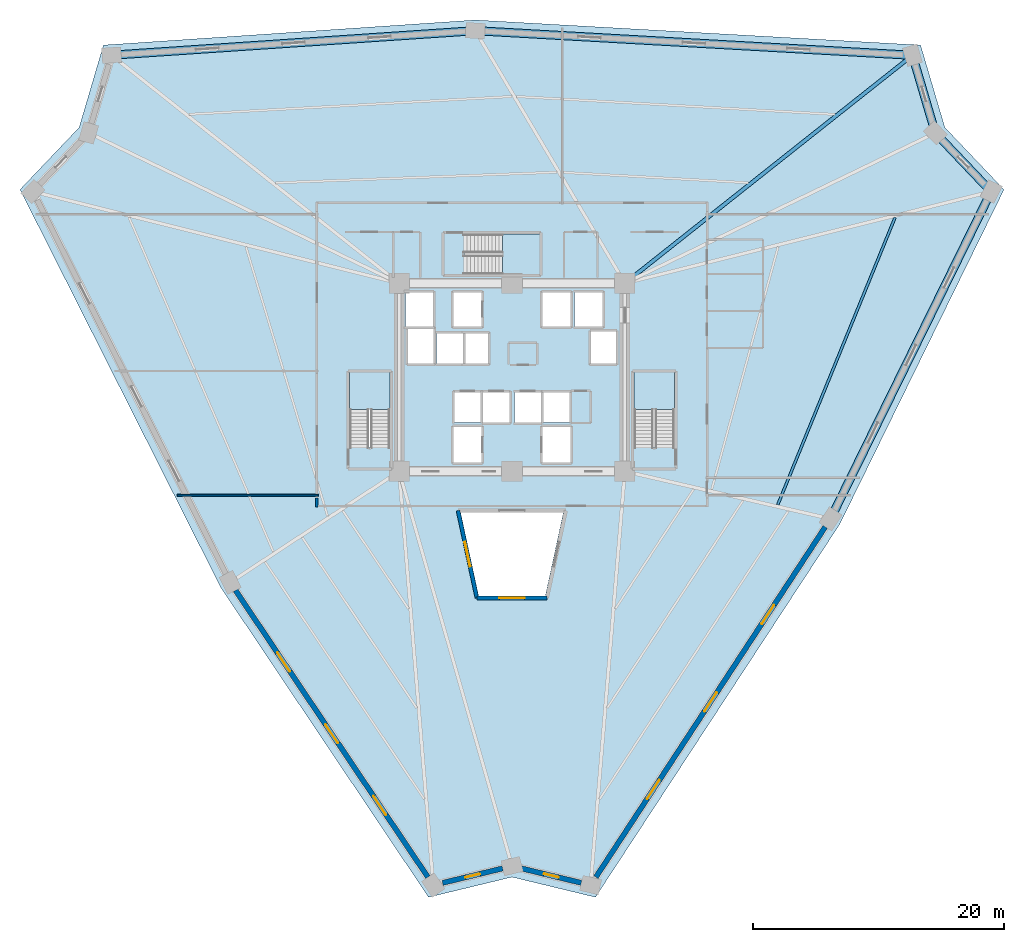
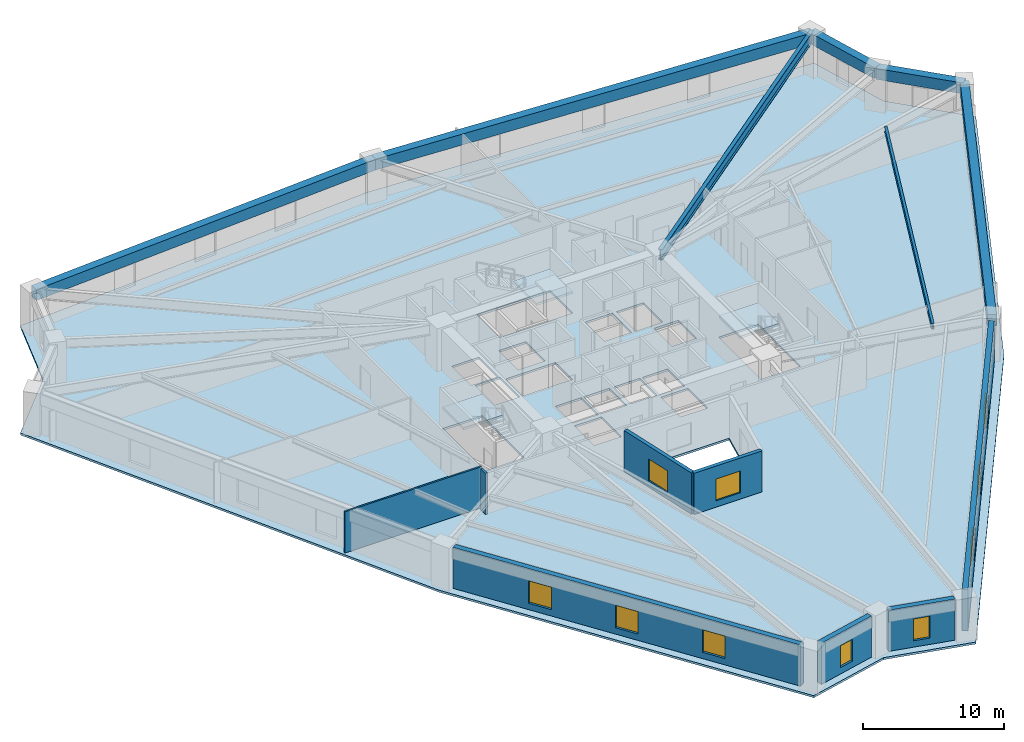
# One storey, part 2 of 8: 10 windows, 8 walls, 7 beams, 4 slabs, 10 openings, 3 elements without a shape of their own.
"""IFC4 building model written with IfcOpenShell, lengths in metres."""

from ifc_helpers import new_model, si_unit, direction, frame, frame_2d, origin, origin_2d, place, context, subcontext, project, spatial, polyline, rectangle, i_section, outline, extrude, source, transform, mapped, material, layer, layer_set, material_profile, profile_set, type_object, element, fill, aggregate, save


model = new_model("IFC4")

# Units and contexts
model_context = context("Model", 3, precision=1e-05, world=origin(), true_north=direction((0.0, 1.0)))
body_context = subcontext(model_context, "Body", "Model", "MODEL_VIEW")
ifc_project = project(units=[si_unit("LENGTHUNIT", "METRE"), si_unit("AREAUNIT", "SQUARE_METRE"), si_unit("VOLUMEUNIT", "CUBIC_METRE"), si_unit("PLANEANGLEUNIT", "RADIAN"), si_unit("MASSUNIT", "GRAM", prefix="KILO")], contexts=[model_context])

# Site, building, storey
site_placement = place(None, origin())
site = spatial("IfcSite", under=ifc_project, at=site_placement, CompositionType="ELEMENT")
building_placement = place(site_placement, origin())
building = spatial("IfcBuilding", under=site, at=building_placement, Name="Liaohun Quay Tower", CompositionType="ELEMENT")
storey_placement = place(building_placement, frame((0.0, 0.0, 66.75)))
storey = spatial("IfcBuildingStorey", under=building, at=storey_placement, Name="L17", CompositionType="ELEMENT", Elevation=66.75)

# Beams
ifc_material_1 = material(Name="Steel Q420D", Category="steel")
ifc_material_profile_1 = material_profile(ifc_material_1, i_section(OverallWidth=0.300048828125, OverallDepth=0.89990234375, WebThickness=0.01611328125, FlangeThickness=0.028076171875, at=origin_2d()), Name="HN900x300x16x28")
ifc_profile_set_1 = profile_set([ifc_material_profile_1], Name="Steel Q420D")
beam_type_1 = type_object("IfcBeamType", Name="BM-RAD-H1", PredefinedType="BEAM", material=ifc_profile_set_1)
shared_shape_1 = source(origin(), body_context, "Body", "SweptSolid", [
    extrude(i_section(OverallWidth=0.300048828125, OverallDepth=0.89990234375, WebThickness=0.01611328125, FlangeThickness=0.028076171875, at=origin_2d()), origin(), (0.0, 0.0, 1.0), 29.264404296875),
])
beam_1_placement = place(storey_placement, frame((69.0, 61.5, 3.1201171875), z_axis=(0.783682660244, 0.621161402561, 0.0), x_axis=(-0.621161402561, 0.783682660244, 0.0)))
element("IfcBeam", 1, at=beam_1_placement, inside=storey, type_object=beam_type_1, Name="L17 Radial Primary Girder CC4-PC07", PredefinedType="BEAM", context=body_context, shape_type="MappedRepresentation", body=[
    mapped(shared_shape_1, transform((0.0, 0.0, 0.0), x_axis=(1.0, 0.0, 0.0), y_axis=(0.0, 1.0, 0.0), z_axis=(0.0, 0.0, 1.0), scale=1.0)),
])
ifc_material_2 = material(Name="Steel Q355D", Category="steel")
ifc_material_profile_2 = material_profile(ifc_material_2, i_section(OverallWidth=0.199951171875, OverallDepth=0.449951171875, WebThickness=0.009033203125, FlangeThickness=0.013916015625, at=origin_2d()), Name="HN450x200x9x14")
ifc_profile_set_2 = profile_set([ifc_material_profile_2], Name="Steel Q355D")
beam_type_2 = type_object("IfcBeamType", Name="BM-SEC-J1", PredefinedType="JOIST", material=ifc_profile_set_2)
shared_shape_2 = source(origin(), body_context, "Body", "SweptSolid", [
    extrude(i_section(OverallWidth=0.199951171875, OverallDepth=0.449951171875, WebThickness=0.009033203125, FlangeThickness=0.013916015625, at=origin_2d()), origin(), (0.0, 0.0, 1.0), 24.732421875),
])
beam_2_placement = place(storey_placement, frame((90.5439453125, 66.738037109375, 3.344970703125), z_axis=(-0.378040840239, -0.925788919307, 0.0), x_axis=(0.925788919307, -0.378040840239, 0.0)))
element("IfcBeam", 2, at=beam_2_placement, inside=storey, type_object=beam_type_2, Name="L17 Wing Secondary Floor Joist SJ-11", PredefinedType="JOIST", context=body_context, shape_type="MappedRepresentation", body=[
    mapped(shared_shape_2, transform((0.0, 0.0, 0.0), x_axis=(1.0, 0.0, 0.0), y_axis=(0.0, 1.0, 0.0), z_axis=(0.0, 0.0, 1.0), scale=1.0)),
])
ifc_material_3 = material(Name="Precast concrete C55", Category="concrete")
ifc_material_profile_3 = material_profile(ifc_material_3, rectangle(XDim=0.64990234375, YDim=0.949951171875, at=origin_2d()), Name="RC650x950")
ifc_profile_set_3 = profile_set([ifc_material_profile_3], Name="Precast concrete C55")
beam_type_3 = type_object("IfcBeamType", Name="BM-SPD-Z1", PredefinedType="SPANDREL", material=ifc_profile_set_3)
shared_shape_3 = source(origin(), body_context, "Body", "SweptSolid", [
    extrude(rectangle(XDim=0.64990234375, YDim=0.949951171875, at=origin_2d()), origin(), (0.0, 0.0, 1.0), 29.07080078125),
])
beam_3_placement = place(storey_placement, frame((28.068115234375, 79.68505859375, 3.094970703125), z_axis=(0.997736549096, 0.067244171481, 0.0), x_axis=(-0.067244171481, 0.997736549096, 0.0)))
element("IfcBeam", 3, at=beam_3_placement, inside=storey, type_object=beam_type_3, Name="L17 Precast Spandrel Beam PC05-PC06", PredefinedType="SPANDREL", context=body_context, shape_type="MappedRepresentation", body=[
    mapped(shared_shape_3, transform((0.0, 0.0, 0.0), x_axis=(1.0, 0.0, 0.0), y_axis=(0.0, 1.0, 0.0), z_axis=(0.0, 0.0, 1.0), scale=1.0)),
])
shared_shape_4 = source(origin(), body_context, "Body", "SweptSolid", [
    extrude(rectangle(XDim=0.64990234375, YDim=0.949951171875, at=origin_2d()), origin(), (0.0, 0.0, 1.0), 34.916259765625),
])
beam_4_placement = place(storey_placement, frame((57.072998046875, 81.639892578125, 3.094970703125), z_axis=(0.998420141994, -0.056189145402, 0.0), x_axis=(0.056189145402, 0.998420141994, 0.0)))
element("IfcBeam", 4, at=beam_4_placement, inside=storey, type_object=beam_type_3, Name="L17 Precast Spandrel Beam PC06-PC07", PredefinedType="SPANDREL", context=body_context, shape_type="MappedRepresentation", body=[
    mapped(shared_shape_4, transform((0.0, 0.0, 0.0), x_axis=(1.0, 0.0, 0.0), y_axis=(0.0, 1.0, 0.0), z_axis=(0.0, 0.0, 1.0), scale=1.0)),
])
shared_shape_5 = source(origin(), body_context, "Body", "SweptSolid", [
    extrude(rectangle(XDim=0.64990234375, YDim=0.949951171875, at=origin_2d()), origin(), (0.0, 0.0, 1.0), 6.451171875),
])
beam_5_placement = place(storey_placement, frame((91.93408203125, 79.677978515625, 3.094970703125), z_axis=(0.28273381669, -0.959198409559, 0.0), x_axis=(0.959198409559, 0.28273381669, 0.0)))
element("IfcBeam", 5, at=beam_5_placement, inside=storey, type_object=beam_type_3, Name="L17 Precast Spandrel Beam PC07-PC08", PredefinedType="SPANDREL", context=body_context, shape_type="MappedRepresentation", body=[
    mapped(shared_shape_5, transform((0.0, 0.0, 0.0), x_axis=(1.0, 0.0, 0.0), y_axis=(0.0, 1.0, 0.0), z_axis=(0.0, 0.0, 1.0), scale=1.0)),
])
shared_shape_6 = source(origin(), body_context, "Body", "SweptSolid", [
    extrude(rectangle(XDim=0.64990234375, YDim=0.949951171875, at=origin_2d()), origin(), (0.0, 0.0, 1.0), 6.457763671875),
])
beam_6_placement = place(storey_placement, frame((93.758056640625, 73.489990234375, 3.094970703125), z_axis=(0.689231192671, -0.724541484699, 0.0), x_axis=(0.724541484699, 0.689231192671, 0.0)))
element("IfcBeam", 6, at=beam_6_placement, inside=storey, type_object=beam_type_3, Name="L17 Precast Spandrel Beam PC08-PC09", PredefinedType="SPANDREL", context=body_context, shape_type="MappedRepresentation", body=[
    mapped(shared_shape_6, transform((0.0, 0.0, 0.0), x_axis=(1.0, 0.0, 0.0), y_axis=(0.0, 1.0, 0.0), z_axis=(0.0, 0.0, 1.0), scale=1.0)),
])
shared_shape_7 = source(origin(), body_context, "Body", "SweptSolid", [
    extrude(rectangle(XDim=0.64990234375, YDim=0.949951171875, at=origin_2d()), origin(), (0.0, 0.0, 1.0), 29.06884765625),
])
beam_7_placement = place(storey_placement, frame((98.208984375, 68.81103515625, 3.094970703125), z_axis=(-0.440613510447, -0.897696905649, 0.0), x_axis=(0.897696905649, -0.440613510447, 0.0)))
element("IfcBeam", 7, at=beam_7_placement, inside=storey, type_object=beam_type_3, Name="L17 Precast Spandrel Beam PC09-PC10", PredefinedType="SPANDREL", context=body_context, shape_type="MappedRepresentation", body=[
    mapped(shared_shape_7, transform((0.0, 0.0, 0.0), x_axis=(1.0, 0.0, 0.0), y_axis=(0.0, 1.0, 0.0), z_axis=(0.0, 0.0, 1.0), scale=1.0)),
])

# Stair, slab
ifc_material_4 = material(Name="Concrete C45", Category="concrete")
stair_type = type_object("IfcStairType", Name="STR-CORE-OFF", PredefinedType="HALF_TURN_STAIR", material=ifc_material_4)
stair_1_placement = place(storey_placement, origin())
stair_1 = element("IfcStair", 8, at=stair_1_placement, inside=storey, type_object=stair_type, Name="L17 Smokeproof Core Exit Stair ST-1", PredefinedType="HALF_TURN_STAIR")
ifc_layer_1 = layer(ifc_material_4, 0.199951171875, Name="Concrete C45", Category="concrete")
ifc_layer_set_1 = layer_set([ifc_layer_1], Name="Concrete C45")
slab_type_1 = type_object("IfcSlabType", Name="SLB-LND-200", PredefinedType="LANDING", material=ifc_layer_set_1)
slab_1_placement = place(storey_placement, frame((0.0, 0.0, 1.675048828125)))
slab_1 = element("IfcSlab", 9, at=slab_1_placement, type_object=slab_type_1, Name="ST-1 landing 1", PredefinedType="LANDING", context=body_context, shape_type="SweptSolid", body=[
    extrude(outline(polyline([(50.280029296875, 51.429931640625), (50.280029296875, 54.419921875), (47.0400390625, 54.419921875), (47.0400390625, 51.429931640625), (50.280029296875, 51.429931640625)])), origin(), (0.0, 0.0, 1.0), 0.199951171875),
])
aggregate(stair_1, [slab_1])

stair_2_placement = place(storey_placement, origin())
stair_2 = element("IfcStair", 10, at=stair_2_placement, inside=storey, type_object=stair_type, Name="L17 Smokeproof Core Exit Stair ST-2", PredefinedType="HALF_TURN_STAIR")
slab_2_placement = place(storey_placement, frame((0.0, 0.0, 1.675048828125)))
slab_2 = element("IfcSlab", 11, at=slab_2_placement, type_object=slab_type_1, Name="ST-2 landing 1", PredefinedType="LANDING", context=body_context, shape_type="SweptSolid", body=[
    extrude(outline(polyline([(72.9599609375, 51.429931640625), (72.9599609375, 54.419921875), (69.719970703125, 54.419921875), (69.719970703125, 51.429931640625), (72.9599609375, 51.429931640625)])), origin(), (0.0, 0.0, 1.0), 0.199951171875),
])
aggregate(stair_2, [slab_2])

stair_3_placement = place(storey_placement, origin())
stair_3 = element("IfcStair", 12, at=stair_3_placement, inside=storey, type_object=stair_type, Name="L17 Smokeproof Core Exit Stair ST-3", PredefinedType="HALF_TURN_STAIR")
slab_3_placement = place(storey_placement, frame((0.0, 0.0, 1.675048828125)))
slab_3 = element("IfcSlab", 13, at=slab_3_placement, type_object=slab_type_1, Name="ST-3 landing 1", PredefinedType="LANDING", context=body_context, shape_type="SweptSolid", body=[
    extrude(outline(polyline([(59.22998046875, 62.199951171875), (62.219970703125, 62.199951171875), (62.219970703125, 65.43994140625), (59.22998046875, 65.43994140625), (59.22998046875, 62.199951171875)])), origin(), (0.0, 0.0, 1.0), 0.199951171875),
])
aggregate(stair_3, [slab_3])

# Slab
ifc_layer_2 = layer(ifc_material_4, 0.179931640625, Name="Concrete C45", Category="concrete")
ifc_layer_set_2 = layer_set([ifc_layer_2], Name="Concrete C45")
slab_type_2 = type_object("IfcSlabType", Name="SLB-OFF-180", PredefinedType="FLOOR", material=ifc_layer_set_2)
slab_4_placement = place(storey_placement, frame((0.0, 0.0, -0.179931640625)))
element("IfcSlab", 14, at=slab_4_placement, inside=storey, type_object=slab_type_2, Name="L17 Structural Floor Slab", PredefinedType="FLOOR", context=body_context, shape_type="SweptSolid", body=[
    extrude(outline(polyline([(53.345947265625, 12.5390625), (60.0, 14.14599609375), (66.654052734375, 12.5390625), (86.14111328125, 42.2939453125), (99.23291015625, 68.968017578125), (94.514892578125, 73.927001953125), (92.580078125, 80.492919921875), (57.068115234375, 82.491943359375), (27.419921875, 80.492919921875), (25.485107421875, 73.927001953125), (20.76708984375, 68.968017578125), (36.7919921875, 37.215087890625), (53.345947265625, 12.5390625)]), holes=[polyline([(57.56005859375, 47.2099609375), (57.56005859375, 50.030029296875), (55.340087890625, 50.030029296875), (55.340087890625, 47.2099609375), (57.56005859375, 47.2099609375)]), polyline([(50.280029296875, 54.419921875), (47.0400390625, 54.419921875), (47.0400390625, 48.409912109375), (50.280029296875, 48.409912109375), (50.280029296875, 54.419921875)]), polyline([(57.510009765625, 50.389892578125), (57.510009765625, 52.81005859375), (55.389892578125, 52.81005859375), (55.389892578125, 50.389892578125), (57.510009765625, 50.389892578125)]), polyline([(59.81005859375, 50.389892578125), (59.81005859375, 52.81005859375), (57.68994140625, 52.81005859375), (57.68994140625, 50.389892578125), (59.81005859375, 50.389892578125)]), polyline([(58.110107421875, 57.510009765625), (53.989990234375, 57.510009765625), (53.989990234375, 55.090087890625), (58.110107421875, 55.090087890625), (58.110107421875, 57.510009765625)]), polyline([(53.760009765625, 55.090087890625), (53.760009765625, 57.909912109375), (51.7099609375, 57.909912109375), (51.7099609375, 55.090087890625), (53.760009765625, 55.090087890625)]), polyline([(51.489990234375, 58.0400390625), (53.7099609375, 58.0400390625), (53.7099609375, 60.7900390625), (51.489990234375, 60.7900390625), (51.489990234375, 58.0400390625)]), polyline([(55.340087890625, 58.0400390625), (57.56005859375, 58.0400390625), (57.56005859375, 60.7900390625), (55.340087890625, 60.7900390625), (55.340087890625, 58.0400390625)]), polyline([(62.658935546875, 36.576904296875), (64.091064453125, 43.199951171875), (55.908935546875, 43.199951171875), (57.341064453125, 36.576904296875), (62.658935546875, 36.576904296875)]), polyline([(64.659912109375, 47.2099609375), (64.659912109375, 50.030029296875), (62.43994140625, 50.030029296875), (62.43994140625, 47.2099609375), (64.659912109375, 47.2099609375)]), polyline([(72.9599609375, 54.419921875), (69.719970703125, 54.419921875), (69.719970703125, 48.409912109375), (72.9599609375, 48.409912109375), (72.9599609375, 54.419921875)]), polyline([(62.31005859375, 50.389892578125), (62.31005859375, 52.81005859375), (60.18994140625, 52.81005859375), (60.18994140625, 50.389892578125), (62.31005859375, 50.389892578125)]), polyline([(64.610107421875, 50.389892578125), (64.610107421875, 52.81005859375), (62.489990234375, 52.81005859375), (62.489990234375, 50.389892578125), (64.610107421875, 50.389892578125)]), polyline([(68.2900390625, 55.090087890625), (68.2900390625, 57.659912109375), (66.2900390625, 57.659912109375), (66.2900390625, 55.090087890625), (68.2900390625, 55.090087890625)]), polyline([(64.659912109375, 58.0400390625), (64.659912109375, 60.7900390625), (62.43994140625, 60.7900390625), (62.43994140625, 58.0400390625), (64.659912109375, 58.0400390625)]), polyline([(64.989990234375, 58.0400390625), (67.2099609375, 58.0400390625), (67.2099609375, 60.7900390625), (64.989990234375, 60.7900390625), (64.989990234375, 58.0400390625)]), polyline([(56.2099609375, 62.199951171875), (62.219970703125, 62.199951171875), (62.219970703125, 65.43994140625), (56.2099609375, 65.43994140625), (56.2099609375, 62.199951171875)])]), origin(), (0.0, 0.0, 1.0), 0.179931640625),
])

# Wall, opening, window
ifc_material_5 = material(Name="Concrete C50", Category="concrete")
ifc_layer_3 = layer(ifc_material_5, 0.300048828125, Name="Concrete C50", Category="concrete")
ifc_layer_set_3 = layer_set([ifc_layer_3], Name="Concrete C50")
wall_type_1 = type_object("IfcWallType", Name="WAL-ATR-300", PredefinedType="SOLIDWALL", material=ifc_layer_set_3)
wall_1_placement = place(storey_placement, frame((57.2041015625, 36.406982421875, 0.0), z_axis=(0.0, 0.0, 1.0), x_axis=(-0.211408002859, 0.977397900718, 0.0)))
wall_1 = element("IfcWall", 15, at=wall_1_placement, inside=storey, type_object=wall_type_1, Name="L17 Atrium Fire Compartment Wall 1", PredefinedType="SOLIDWALL", context=body_context, shape_type="SweptSolid", body=[
    extrude(rectangle(XDim=7.124267578125, YDim=0.300048828125, at=frame_2d((3.56201171875, 0.0))), origin(), (0.0, 0.0, 1.0), 3.570068359375),
])
shared_shape_8 = source(origin(), body_context, "Body", "SweptSolid", [
    extrude(rectangle(XDim=2.0, YDim=1.89990234375, at=frame_2d((1.0, 0.949951171875))), frame((0.0, 0.159912109375, 0.0), z_axis=(0.0, -1.0, 0.0), x_axis=(1.0, 0.0, 0.0)), (0.0, 0.0, 1.0), 0.320068359375),
])
opening_1_placement = place(wall_1_placement, frame((2.56201171875, 0.0, 0.550048828125)))
opening_1 = element("IfcOpeningElement", 16, at=opening_1_placement, cuts=wall_1, Name="Opening W07", PredefinedType="OPENING", context=body_context, shape_type="MappedRepresentation", body=[
    mapped(shared_shape_8, transform((0.0, 0.0, 0.0), x_axis=(1.0, 0.0, 0.0), y_axis=(0.0, 1.0, 0.0), z_axis=(0.0, 0.0, 1.0), scale=1.0)),
])
ifc_material_6 = material(Name="Class A 180-min fire-resistant insulated glazing", Category="glass")
window_type_1 = type_object("IfcWindowType", Name="WIN-ATR-FIR", PartitioningType="DOUBLE_PANEL_VERTICAL", PredefinedType="WINDOW", material=ifc_material_6)
shared_shape_9 = source(origin(), body_context, "Body", "SweptSolid", [
    extrude(rectangle(XDim=2.0, YDim=1.89990234375, at=frame_2d((1.0, 0.949951171875))), frame((0.0, 0.030029296875, 0.0), z_axis=(0.0, -1.0, 0.0), x_axis=(1.0, 0.0, 0.0)), (0.0, 0.0, 1.0), 0.06005859375),
])
window_1_placement = place(opening_1_placement, origin())
window_1 = element("IfcWindow", 17, at=window_1_placement, inside=storey, type_object=window_type_1, Name="L17 Atrium Fire-Resistant Glazing W07-1", OverallHeight=1.89990234375, OverallWidth=2.0, PartitioningType="DOUBLE_PANEL_VERTICAL", PredefinedType="WINDOW", context=body_context, shape_type="MappedRepresentation", body=[
    mapped(shared_shape_9, transform((0.0, 0.0, 0.0), x_axis=(1.0, 0.0, 0.0), y_axis=(0.0, 1.0, 0.0), z_axis=(0.0, 0.0, 1.0), scale=1.0)),
])
fill(opening_1, window_1)

wall_2_placement = place(storey_placement, frame((62.7958984375, 36.406982421875, 0.0), z_axis=(0.0, 0.0, 1.0), x_axis=(-1.0, 0.0, 0.0)))
wall_2 = element("IfcWall", 18, at=wall_2_placement, inside=storey, type_object=wall_type_1, Name="L17 Atrium Fire Compartment Wall 4", PredefinedType="SOLIDWALL", context=body_context, shape_type="SweptSolid", body=[
    extrude(rectangle(XDim=5.591796875, YDim=0.300048828125, at=frame_2d((2.7958984375, 0.0))), origin(), (0.0, 0.0, 1.0), 3.570068359375),
])
opening_2_placement = place(wall_2_placement, frame((1.7958984375, 0.0, 0.550048828125)))
opening_2 = element("IfcOpeningElement", 19, at=opening_2_placement, cuts=wall_2, Name="Opening W07", PredefinedType="OPENING", context=body_context, shape_type="MappedRepresentation", body=[
    mapped(shared_shape_8, transform((0.0, 0.0, 0.0), x_axis=(1.0, 0.0, 0.0), y_axis=(0.0, 1.0, 0.0), z_axis=(0.0, 0.0, 1.0), scale=1.0)),
])
window_2_placement = place(opening_2_placement, origin())
window_2 = element("IfcWindow", 20, at=window_2_placement, inside=storey, type_object=window_type_1, Name="L17 Atrium Fire-Resistant Glazing W07-4", OverallHeight=1.89990234375, OverallWidth=2.0, PartitioningType="DOUBLE_PANEL_VERTICAL", PredefinedType="WINDOW", context=body_context, shape_type="MappedRepresentation", body=[
    mapped(shared_shape_9, transform((0.0, 0.0, 0.0), x_axis=(1.0, 0.0, 0.0), y_axis=(0.0, 1.0, 0.0), z_axis=(0.0, 0.0, 1.0), scale=1.0)),
])
fill(opening_2, window_2)

ifc_material_7 = material(Name="Precast concrete C50 insulated sandwich", Category="concrete")
ifc_layer_4 = layer(ifc_material_7, 0.419921875, Name="Precast concrete C50 insulated sandwich", Category="concrete")
ifc_layer_set_4 = layer_set([ifc_layer_4], Name="Precast concrete C50 insulated sandwich")
wall_type_2 = type_object("IfcWallType", Name="WAL-EXT-Z12", PredefinedType="SOLIDWALL", material=ifc_layer_set_4)
wall_3_placement = place(storey_placement, frame((60.743896484375, 14.840087890625, 0.0), z_axis=(0.0, 0.0, 1.0), x_axis=(0.972106008819, -0.234541910152, 0.0)))
wall_3 = element("IfcWall", 21, at=wall_3_placement, inside=storey, type_object=wall_type_2, Name="L17 Brutalist Precast Pier Wall 01", PredefinedType="SOLIDWALL", context=body_context, shape_type="SweptSolid", body=[
    extrude(rectangle(XDim=4.92041015625, YDim=0.419921875, at=frame_2d((2.460205078125, 0.0))), origin(), (0.0, 0.0, 1.0), 3.570068359375),
])
shared_shape_10 = source(origin(), body_context, "Body", "SweptSolid", [
    extrude(rectangle(XDim=1.199951171875, YDim=1.89990234375, at=frame_2d((0.60009765625, 0.949951171875))), frame((0.0, 0.219970703125, 0.0), z_axis=(0.0, -1.0, 0.0), x_axis=(1.0, 0.0, 0.0)), (0.0, 0.0, 1.0), 0.43994140625),
])
opening_3_placement = place(wall_3_placement, frame((1.860107421875, 0.0, 0.550048828125)))
opening_3 = element("IfcOpeningElement", 22, at=opening_3_placement, cuts=wall_3, Name="Opening W05", PredefinedType="OPENING", context=body_context, shape_type="MappedRepresentation", body=[
    mapped(shared_shape_10, transform((0.0, 0.0, 0.0), x_axis=(1.0, 0.0, 0.0), y_axis=(0.0, 1.0, 0.0), z_axis=(0.0, 0.0, 1.0), scale=1.0)),
])
ifc_material_8 = material(Name="Triple Low-E corner notch glazing", Category="glass")
window_type_2 = type_object("IfcWindowType", Name="WIN-NOTCH", PartitioningType="SINGLE_PANEL", PredefinedType="WINDOW", material=ifc_material_8)
shared_shape_11 = source(origin(), body_context, "Body", "SweptSolid", [
    extrude(rectangle(XDim=1.199951171875, YDim=1.89990234375, at=frame_2d((0.60009765625, 0.949951171875))), frame((0.0, 0.030029296875, 0.0), z_axis=(0.0, -1.0, 0.0), x_axis=(1.0, 0.0, 0.0)), (0.0, 0.0, 1.0), 0.06005859375),
])
window_3_placement = place(opening_3_placement, origin())
window_3 = element("IfcWindow", 23, at=window_3_placement, inside=storey, type_object=window_type_2, Name="L17 Corner Notch Window W05-01", OverallHeight=1.89990234375, OverallWidth=1.199951171875, PartitioningType="SINGLE_PANEL", PredefinedType="WINDOW", context=body_context, shape_type="MappedRepresentation", body=[
    mapped(shared_shape_11, transform((0.0, 0.0, 0.0), x_axis=(1.0, 0.0, 0.0), y_axis=(0.0, 1.0, 0.0), z_axis=(0.0, 0.0, 1.0), scale=1.0)),
])
fill(opening_3, window_3)

# Wall, openings, windows
wall_4_placement = place(storey_placement, frame((66.68994140625, 14.14599609375, 0.0), z_axis=(0.0, 0.0, 1.0), x_axis=(0.547881051704, 0.836556246276, 0.0)))
wall_4 = element("IfcWall", 24, at=wall_4_placement, inside=storey, type_object=wall_type_2, Name="L17 Brutalist Precast Pier Wall 02", PredefinedType="SOLIDWALL", context=body_context, shape_type="SweptSolid", body=[
    extrude(rectangle(XDim=33.38671875, YDim=0.419921875, at=frame_2d((16.693359375, 0.0))), origin(), (0.0, 0.0, 1.0), 3.570068359375),
])
shared_shape_12 = source(origin(), body_context, "Body", "SweptSolid", [
    extrude(rectangle(XDim=1.800048828125, YDim=1.949951171875, at=frame_2d((0.89990234375, 0.97509765625))), frame((0.0, 0.219970703125, 0.0), z_axis=(0.0, -1.0, 0.0), x_axis=(1.0, 0.0, 0.0)), (0.0, 0.0, 1.0), 0.43994140625),
])
opening_4_placement = place(wall_4_placement, frame((7.447021484375, 0.0, 0.550048828125)))
opening_4 = element("IfcOpeningElement", 25, at=opening_4_placement, cuts=wall_4, Name="Opening W01", PredefinedType="OPENING", context=body_context, shape_type="MappedRepresentation", body=[
    mapped(shared_shape_12, transform((0.0, 0.0, 0.0), x_axis=(1.0, 0.0, 0.0), y_axis=(0.0, 1.0, 0.0), z_axis=(0.0, 0.0, 1.0), scale=1.0)),
])
opening_5_placement = place(wall_4_placement, frame((15.79296875, 0.0, 0.550048828125)))
opening_5 = element("IfcOpeningElement", 26, at=opening_5_placement, cuts=wall_4, Name="Opening W01", PredefinedType="OPENING", context=body_context, shape_type="MappedRepresentation", body=[
    mapped(shared_shape_12, transform((0.0, 0.0, 0.0), x_axis=(1.0, 0.0, 0.0), y_axis=(0.0, 1.0, 0.0), z_axis=(0.0, 0.0, 1.0), scale=1.0)),
])
opening_6_placement = place(wall_4_placement, frame((24.139892578125, 0.0, 0.550048828125)))
opening_6 = element("IfcOpeningElement", 27, at=opening_6_placement, cuts=wall_4, Name="Opening W01", PredefinedType="OPENING", context=body_context, shape_type="MappedRepresentation", body=[
    mapped(shared_shape_12, transform((0.0, 0.0, 0.0), x_axis=(1.0, 0.0, 0.0), y_axis=(0.0, 1.0, 0.0), z_axis=(0.0, 0.0, 1.0), scale=1.0)),
])
ifc_material_9 = material(Name="Triple Low-E argon glazing in thermally broken aluminium", Category="aluminium")
window_type_3 = type_object("IfcWindowType", Name="WIN-PUN-Z1", PartitioningType="DOUBLE_PANEL_VERTICAL", PredefinedType="WINDOW", material=ifc_material_9)
shared_shape_13 = source(origin(), body_context, "Body", "SweptSolid", [
    extrude(rectangle(XDim=1.800048828125, YDim=1.949951171875, at=frame_2d((0.89990234375, 0.97509765625))), frame((0.0, 0.030029296875, 0.0), z_axis=(0.0, -1.0, 0.0), x_axis=(1.0, 0.0, 0.0)), (0.0, 0.0, 1.0), 0.06005859375),
])
window_4_placement = place(opening_4_placement, origin())
window_4 = element("IfcWindow", 28, at=window_4_placement, inside=storey, type_object=window_type_3, Name="L17 Recessed Cold-Climate Punched Window 02-1", OverallHeight=1.949951171875, OverallWidth=1.800048828125, PartitioningType="DOUBLE_PANEL_VERTICAL", PredefinedType="WINDOW", context=body_context, shape_type="MappedRepresentation", body=[
    mapped(shared_shape_13, transform((0.0, 0.0, 0.0), x_axis=(1.0, 0.0, 0.0), y_axis=(0.0, 1.0, 0.0), z_axis=(0.0, 0.0, 1.0), scale=1.0)),
])
fill(opening_4, window_4)
window_5_placement = place(opening_5_placement, origin())
window_5 = element("IfcWindow", 29, at=window_5_placement, inside=storey, type_object=window_type_3, Name="L17 Recessed Cold-Climate Punched Window 02-2", OverallHeight=1.949951171875, OverallWidth=1.800048828125, PartitioningType="DOUBLE_PANEL_VERTICAL", PredefinedType="WINDOW", context=body_context, shape_type="MappedRepresentation", body=[
    mapped(shared_shape_13, transform((0.0, 0.0, 0.0), x_axis=(1.0, 0.0, 0.0), y_axis=(0.0, 1.0, 0.0), z_axis=(0.0, 0.0, 1.0), scale=1.0)),
])
fill(opening_5, window_5)
window_6_placement = place(opening_6_placement, origin())
window_6 = element("IfcWindow", 30, at=window_6_placement, inside=storey, type_object=window_type_3, Name="L17 Recessed Cold-Climate Punched Window 02-3", OverallHeight=1.949951171875, OverallWidth=1.800048828125, PartitioningType="DOUBLE_PANEL_VERTICAL", PredefinedType="WINDOW", context=body_context, shape_type="MappedRepresentation", body=[
    mapped(shared_shape_13, transform((0.0, 0.0, 0.0), x_axis=(1.0, 0.0, 0.0), y_axis=(0.0, 1.0, 0.0), z_axis=(0.0, 0.0, 1.0), scale=1.0)),
])
fill(opening_6, window_6)

wall_5_placement = place(storey_placement, frame((37.952880859375, 37.010009765625, 0.0), z_axis=(0.0, 0.0, 1.0), x_axis=(0.557101576922, -0.830444358757, 0.0)))
wall_5 = element("IfcWall", 31, at=wall_5_placement, inside=storey, type_object=wall_type_2, Name="L17 Brutalist Precast Pier Wall 11", PredefinedType="SOLIDWALL", context=body_context, shape_type="SweptSolid", body=[
    extrude(rectangle(XDim=27.540771484375, YDim=0.419921875, at=frame_2d((13.7705078125, 0.0))), origin(), (0.0, 0.0, 1.0), 3.570068359375),
])
opening_7_placement = place(wall_5_placement, frame((5.985107421875, 0.0, 0.550048828125)))
opening_7 = element("IfcOpeningElement", 32, at=opening_7_placement, cuts=wall_5, Name="Opening W01", PredefinedType="OPENING", context=body_context, shape_type="MappedRepresentation", body=[
    mapped(shared_shape_12, transform((0.0, 0.0, 0.0), x_axis=(1.0, 0.0, 0.0), y_axis=(0.0, 1.0, 0.0), z_axis=(0.0, 0.0, 1.0), scale=1.0)),
])
opening_8_placement = place(wall_5_placement, frame((12.8701171875, 0.0, 0.550048828125)))
opening_8 = element("IfcOpeningElement", 33, at=opening_8_placement, cuts=wall_5, Name="Opening W01", PredefinedType="OPENING", context=body_context, shape_type="MappedRepresentation", body=[
    mapped(shared_shape_12, transform((0.0, 0.0, 0.0), x_axis=(1.0, 0.0, 0.0), y_axis=(0.0, 1.0, 0.0), z_axis=(0.0, 0.0, 1.0), scale=1.0)),
])
opening_9_placement = place(wall_5_placement, frame((19.756103515625, 0.0, 0.550048828125)))
opening_9 = element("IfcOpeningElement", 34, at=opening_9_placement, cuts=wall_5, Name="Opening W01", PredefinedType="OPENING", context=body_context, shape_type="MappedRepresentation", body=[
    mapped(shared_shape_12, transform((0.0, 0.0, 0.0), x_axis=(1.0, 0.0, 0.0), y_axis=(0.0, 1.0, 0.0), z_axis=(0.0, 0.0, 1.0), scale=1.0)),
])
window_7_placement = place(opening_7_placement, origin())
window_7 = element("IfcWindow", 35, at=window_7_placement, inside=storey, type_object=window_type_3, Name="L17 Recessed Cold-Climate Punched Window 11-1", OverallHeight=1.949951171875, OverallWidth=1.800048828125, PartitioningType="DOUBLE_PANEL_VERTICAL", PredefinedType="WINDOW", context=body_context, shape_type="MappedRepresentation", body=[
    mapped(shared_shape_13, transform((0.0, 0.0, 0.0), x_axis=(1.0, 0.0, 0.0), y_axis=(0.0, 1.0, 0.0), z_axis=(0.0, 0.0, 1.0), scale=1.0)),
])
fill(opening_7, window_7)
window_8_placement = place(opening_8_placement, origin())
window_8 = element("IfcWindow", 36, at=window_8_placement, inside=storey, type_object=window_type_3, Name="L17 Recessed Cold-Climate Punched Window 11-2", OverallHeight=1.949951171875, OverallWidth=1.800048828125, PartitioningType="DOUBLE_PANEL_VERTICAL", PredefinedType="WINDOW", context=body_context, shape_type="MappedRepresentation", body=[
    mapped(shared_shape_13, transform((0.0, 0.0, 0.0), x_axis=(1.0, 0.0, 0.0), y_axis=(0.0, 1.0, 0.0), z_axis=(0.0, 0.0, 1.0), scale=1.0)),
])
fill(opening_8, window_8)
window_9_placement = place(opening_9_placement, origin())
window_9 = element("IfcWindow", 37, at=window_9_placement, inside=storey, type_object=window_type_3, Name="L17 Recessed Cold-Climate Punched Window 11-3", OverallHeight=1.949951171875, OverallWidth=1.800048828125, PartitioningType="DOUBLE_PANEL_VERTICAL", PredefinedType="WINDOW", context=body_context, shape_type="MappedRepresentation", body=[
    mapped(shared_shape_13, transform((0.0, 0.0, 0.0), x_axis=(1.0, 0.0, 0.0), y_axis=(0.0, 1.0, 0.0), z_axis=(0.0, 0.0, 1.0), scale=1.0)),
])
fill(opening_9, window_9)

# Wall, opening, window
wall_6_placement = place(storey_placement, frame((54.466064453125, 13.68408203125, 0.0), z_axis=(0.0, 0.0, 1.0), x_axis=(0.972091949921, 0.23460017242, 0.0)))
wall_6 = element("IfcWall", 38, at=wall_6_placement, inside=storey, type_object=wall_type_2, Name="L17 Brutalist Precast Pier Wall 12", PredefinedType="SOLIDWALL", context=body_context, shape_type="SweptSolid", body=[
    extrude(rectangle(XDim=4.927490234375, YDim=0.419921875, at=frame_2d((2.4638671875, 0.0))), origin(), (0.0, 0.0, 1.0), 3.570068359375),
])
opening_10_placement = place(wall_6_placement, frame((1.864013671875, 0.0, 0.550048828125)))
opening_10 = element("IfcOpeningElement", 39, at=opening_10_placement, cuts=wall_6, Name="Opening W05", PredefinedType="OPENING", context=body_context, shape_type="MappedRepresentation", body=[
    mapped(shared_shape_10, transform((0.0, 0.0, 0.0), x_axis=(1.0, 0.0, 0.0), y_axis=(0.0, 1.0, 0.0), z_axis=(0.0, 0.0, 1.0), scale=1.0)),
])
window_10_placement = place(opening_10_placement, origin())
window_10 = element("IfcWindow", 40, at=window_10_placement, inside=storey, type_object=window_type_2, Name="L17 Corner Notch Window W05-12", OverallHeight=1.89990234375, OverallWidth=1.199951171875, PartitioningType="SINGLE_PANEL", PredefinedType="WINDOW", context=body_context, shape_type="MappedRepresentation", body=[
    mapped(shared_shape_11, transform((0.0, 0.0, 0.0), x_axis=(1.0, 0.0, 0.0), y_axis=(0.0, 1.0, 0.0), z_axis=(0.0, 0.0, 1.0), scale=1.0)),
])
fill(opening_10, window_10)

# Walls
ifc_material_10 = material(Name="Autoclaved aerated concrete blockwork", Category="masonry")
ifc_layer_5 = layer(ifc_material_10, 0.179931640625, Name="Autoclaved aerated concrete blockwork", Category="masonry")
ifc_layer_set_5 = layer_set([ifc_layer_5], Name="Autoclaved aerated concrete blockwork")
wall_type_3 = type_object("IfcWallType", Name="WAL-PRT-COR", PredefinedType="PARTITIONING", material=ifc_layer_set_5)
wall_7_placement = place(storey_placement, frame((44.43994140625, 43.669921875, 0.0), z_axis=(0.0, 0.0, 1.0), x_axis=(0.0, 1.0, 0.0)))
element("IfcWall", 41, at=wall_7_placement, inside=storey, type_object=wall_type_3, Name="L17 Interior Partition Wall 034", PredefinedType="PARTITIONING", context=body_context, shape_type="SweptSolid", body=[
    extrude(rectangle(XDim=0.715087890625, YDim=0.179931640625, at=frame_2d((0.357421875, 0.0))), origin(), (0.0, 0.0, 1.0), 3.570068359375),
])
ifc_material_11 = material(Name="Gypsum board on twin steel studs", Category="steel")
ifc_layer_6 = layer(ifc_material_11, 0.139892578125, Name="Gypsum board on twin steel studs", Category="steel")
ifc_layer_set_6 = layer_set([ifc_layer_6], Name="Gypsum board on twin steel studs")
wall_type_4 = type_object("IfcWallType", Name="WAL-PRT-OFF", PredefinedType="PARTITIONING", material=ifc_layer_set_6)
wall_8_placement = place(storey_placement, frame((44.5400390625, 44.60009765625, 0.0), z_axis=(0.0, 0.0, 1.0), x_axis=(-1.0, 0.0, 0.0)))
element("IfcWall", 42, at=wall_8_placement, inside=storey, type_object=wall_type_4, Name="L17 Interior Partition Wall 036", PredefinedType="PARTITIONING", context=body_context, shape_type="SweptSolid", body=[
    extrude(rectangle(XDim=11.22900390625, YDim=0.139892578125, at=frame_2d((5.614501953125, 0.0))), origin(), (0.0, 0.0, 1.0), 3.570068359375),
])

save(model, "model.ifc")
